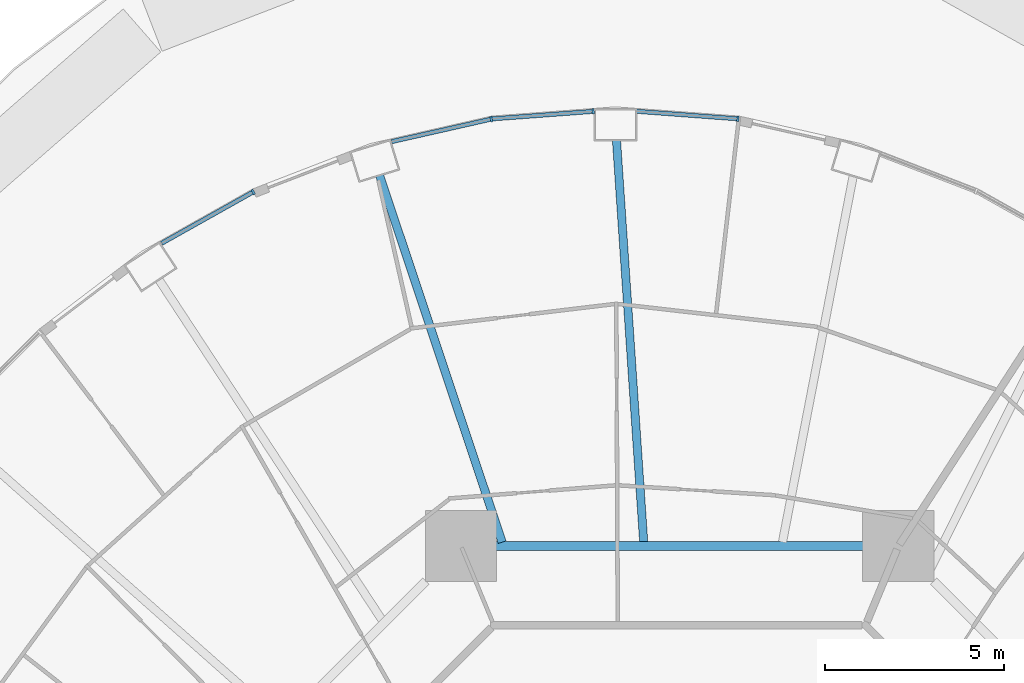
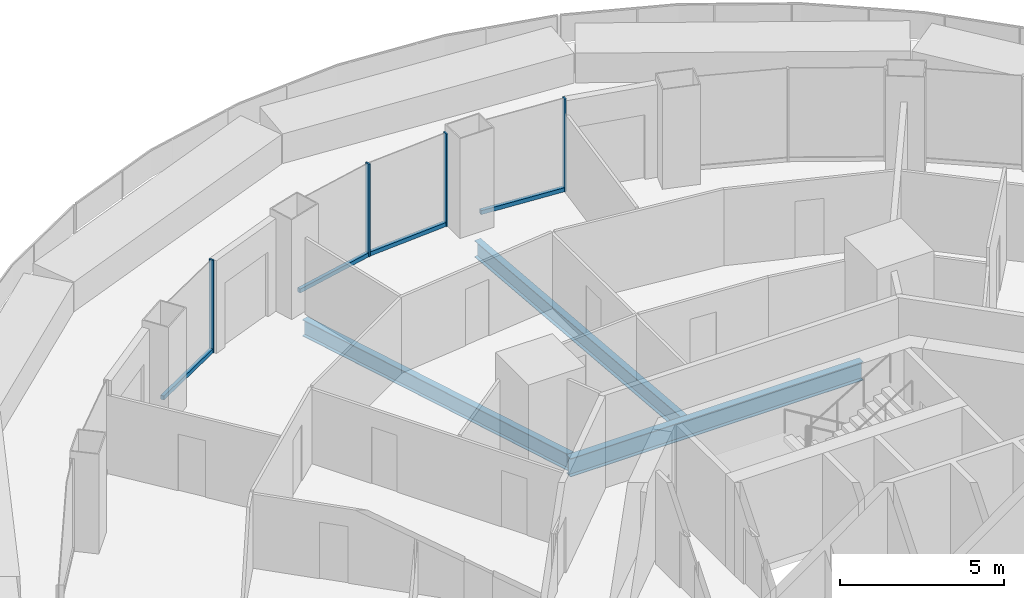
# One storey, part 7 of 20: 8 members, 3 beams, 4 elements without a shape of their own.
"""IFC4 building model written with IfcOpenShell, lengths in metres."""

import ifcopenshell
import ifcopenshell.guid

model = None  # the IFC model being written
_history = None  # IfcOwnerHistory: only IFC2X3 demands one
_inside = {}  # id of a spatial element -> (the spatial element, [elements in it])
_under = {}  # id of a project, library or spatial element -> (it, [spatial elements below it])
_declared = {}  # id of a project -> (the project, [libraries it declares])
_typed = {}  # id of a type object -> (the type object, [elements of that type])
_made_of = {}  # id of a material, layer set ... -> (it, [elements and type objects made of it])


def new_model(schema):
    """Start an empty IFC model of exactly this schema.

    Asked for "IFC4X3", IfcOpenShell would pick the latest addendum, in which some entities
    have other attributes; the version numbers below select the first issue.
    IFC2X3 requires an IfcOwnerHistory on every rooted entity: one is made here for all.
    """
    global model, _history
    if schema == "IFC4X3":
        model = ifcopenshell.file(schema_version=(4, 3, 0, 0))
    else:
        model = ifcopenshell.file(schema=schema)
    _inside.clear()
    _under.clear()
    _declared.clear()
    _typed.clear()
    _made_of.clear()
    _history = None
    if model.schema == "IFC2X3":
        org = make("IfcOrganization", Name="unknown")
        user = make(
            "IfcPersonAndOrganization",
            ThePerson=make("IfcPerson", FamilyName="unknown"),
            TheOrganization=org,
        )
        app = make(
            "IfcApplication",
            ApplicationDeveloper=org,
            Version="unknown",
            ApplicationFullName="unknown",
            ApplicationIdentifier="unknown",
        )
        _history = make(
            "IfcOwnerHistory",
            OwningUser=user,
            OwningApplication=app,
            ChangeAction="ADDED",
            CreationDate=0,
        )
    return model


def make(cls, **values):
    """One entity of the class cls with the attributes given. An attribute that is None is left unset."""
    return model.create_entity(
        cls, **{name: value for name, value in values.items() if value is not None}
    )


def rooted(cls, **values):
    """An entity with a GlobalId (a new one), such as an element, a storey or a relation."""
    return make(cls, GlobalId=ifcopenshell.guid.new(), OwnerHistory=_history, **values)


def si_unit(unit_type, name, prefix=None):
    """IfcSIUnit, for example si_unit("LENGTHUNIT", "METRE", prefix="MILLI")."""
    return make("IfcSIUnit", UnitType=unit_type, Prefix=prefix, Name=name)


def assignment(units):
    """IfcUnitAssignment: the units of a project."""
    return None if units is None else make("IfcUnitAssignment", Units=units)


def point(xyz):
    """IfcCartesianPoint."""
    return None if xyz is None else make("IfcCartesianPoint", Coordinates=xyz)


def direction(xyz):
    """IfcDirection."""
    return None if xyz is None else make("IfcDirection", DirectionRatios=xyz)


def frame(location, z_axis=None, x_axis=None):
    """IfcAxis2Placement3D, a coordinate frame: its origin and axes. An axis left out is left unset."""
    return make(
        "IfcAxis2Placement3D",
        Location=point(location),
        Axis=direction(z_axis),
        RefDirection=direction(x_axis),
    )


def frame_2d(location, x_axis=None):
    """IfcAxis2Placement2D, a coordinate frame in the plane: its origin and x axis."""
    return make(
        "IfcAxis2Placement2D", Location=point(location), RefDirection=direction(x_axis)
    )


def origin():
    """The frame at (0, 0, 0) with its axes left unset."""
    return frame((0.0, 0.0, 0.0))


def origin_2d():
    """The frame at (0, 0) in the plane with its x axis left unset."""
    return frame_2d((0.0, 0.0))


def place(relative_to, where):
    """IfcLocalPlacement: puts the frame where relative to a parent placement (None: the world)."""
    return make(
        "IfcLocalPlacement", PlacementRelTo=relative_to, RelativePlacement=where
    )


def context(
    kind, dimensions, precision=None, world=None, true_north=None, identifier=None
):
    """IfcGeometricRepresentationContext, for example the 3D "Model" context."""
    return make(
        "IfcGeometricRepresentationContext",
        ContextIdentifier=identifier,
        ContextType=kind,
        CoordinateSpaceDimension=dimensions,
        Precision=precision,
        WorldCoordinateSystem=world,
        TrueNorth=true_north,
    )


def subcontext(parent, identifier, kind, view, scale=None):
    """IfcGeometricRepresentationSubContext, for example "Body" below "Model"."""
    return make(
        "IfcGeometricRepresentationSubContext",
        ContextIdentifier=identifier,
        ContextType=kind,
        ParentContext=parent,
        TargetScale=scale,
        TargetView=view,
    )


def project(units=None, contexts=None):
    """IfcProject with its units and contexts."""
    return rooted(
        "IfcProject",
        Name="project",
        RepresentationContexts=contexts,
        UnitsInContext=assignment(units),
    )


def spatial(cls, under=None, at=None, **own):
    """A site, building, storey or space (cls), placed at a placement, below another one or the project."""
    s = rooted(cls, ObjectPlacement=at, **own)
    if under is not None:
        _under.setdefault(under.id(), (under, []))[1].append(s)
    return s


def profile(cls, at=None, kind="AREA", **sizes):
    """A parametric profile (cls). Its sizes go by their IFC names, for example OverallWidth=200.0."""
    return make(cls, ProfileType=kind, Position=at, **sizes)


def rectangle(**sizes):
    """IfcRectangleProfileDef."""
    return profile("IfcRectangleProfileDef", **sizes)


def i_section(**sizes):
    """IfcIShapeProfileDef."""
    return profile("IfcIShapeProfileDef", **sizes)


def extrude(swept, where, along, depth):
    """IfcExtrudedAreaSolid: the profile swept, set in the frame where, extruded along a direction by depth."""
    return make(
        "IfcExtrudedAreaSolid",
        SweptArea=swept,
        Position=where,
        ExtrudedDirection=direction(along),
        Depth=depth,
    )


def shape(context_of_items, identifier, shape_type, items):
    """IfcShapeRepresentation: the items that make up one representation, for example the "Body"."""
    return make(
        "IfcShapeRepresentation",
        ContextOfItems=context_of_items,
        RepresentationIdentifier=identifier,
        RepresentationType=shape_type,
        Items=items,
    )


def material(Name=None, Category=None):
    """IfcMaterial."""
    return make("IfcMaterial", Name=Name, Category=Category)


def layer(
    of_material, thickness, ventilated=None, Name=None, Category=None, Priority=None
):
    """IfcMaterialLayer: one layer of a wall or slab, of a material (None: an air gap)."""
    return make(
        "IfcMaterialLayer",
        Material=of_material,
        LayerThickness=thickness,
        IsVentilated=ventilated,
        Name=Name,
        Category=Category,
        Priority=Priority,
    )


def layer_set(layers, Name=None):
    """IfcMaterialLayerSet."""
    return make("IfcMaterialLayerSet", MaterialLayers=layers, LayerSetName=Name)


def material_profile(
    of_material, cross_section, Name=None, Category=None, Priority=None
):
    """IfcMaterialProfile: a cross section and its material."""
    return make(
        "IfcMaterialProfile",
        Name=Name,
        Material=of_material,
        Profile=cross_section,
        Priority=Priority,
        Category=Category,
    )


def profile_set(profiles, Name=None, composite=None):
    """IfcMaterialProfileSet."""
    return make(
        "IfcMaterialProfileSet",
        Name=Name,
        MaterialProfiles=profiles,
        CompositeProfile=composite,
    )


def made_of(thing, what):
    """Note that an element or type object is made of a material, layer set ...; save() writes the relation."""
    if what is not None:
        _made_of.setdefault(what.id(), (what, []))[1].append(thing)
    return thing


def type_object(cls, material=None, **own):
    """A type object (cls), such as IfcWallType, which elements share."""
    return made_of(rooted(cls, **own), material)


def element(
    cls,
    number,
    at=None,
    inside=None,
    cuts=None,
    type_object=None,
    material=None,
    context=None,
    identifier="Body",
    shape_type=None,
    held_by="IfcProductDefinitionShape",
    body=None,
    shapes=None,
    **own,
):
    """One element of the class cls, such as IfcWall. Its Tag is "e" and its number.

    at: its placement. inside: the storey or other place that contains it. cuts: it is an
    opening in that element (IfcRelVoidsElement). A single representation is given by context,
    identifier, shape_type and body (its items); several are given by shapes. held_by: the class
    of the entity that holds the representations. save() writes the other relations.
    """
    e = rooted(cls, Tag="e%d" % number, ObjectPlacement=at, **own)
    if body is not None:
        shapes = [shape(context, identifier, shape_type, body)]
    if shapes is not None:
        e.Representation = make(held_by, Representations=shapes)
    if inside is not None:
        _inside.setdefault(inside.id(), (inside, []))[1].append(e)
    if cuts is not None:
        rooted(
            "IfcRelVoidsElement", RelatingBuildingElement=cuts, RelatedOpeningElement=e
        )
    if type_object is not None:
        _typed.setdefault(type_object.id(), (type_object, []))[1].append(e)
    return made_of(e, material)


def aggregate(whole, parts):
    """IfcRelAggregates: a whole, such as a stair, and the parts it consists of."""
    return rooted("IfcRelAggregates", RelatingObject=whole, RelatedObjects=parts)


def save(model, path):
    """Write the relations noted so far, then the file.

    IfcRelAggregates (storeys below a building ...), IfcRelContainedInSpatialStructure (elements
    in a storey), IfcRelDefinesByType, IfcRelAssociatesMaterial and IfcRelDeclares: one each for
    every whole, place, type object, material and project.
    """
    for whole, parts in _under.values():
        aggregate(whole, parts)
    for where, things in _inside.values():
        rooted(
            "IfcRelContainedInSpatialStructure",
            RelatedElements=things,
            RelatingStructure=where,
        )
    for kind, things in _typed.values():
        rooted("IfcRelDefinesByType", RelatedObjects=things, RelatingType=kind)
    for what, things in _made_of.values():
        rooted("IfcRelAssociatesMaterial", RelatedObjects=things, RelatingMaterial=what)
    for by, libraries in _declared.values():
        rooted("IfcRelDeclares", RelatingContext=by, RelatedDefinitions=libraries)
    model.write(path)


model = new_model("IFC4")

# Units and contexts
model_context = context("Model", 3, precision=1e-05, world=origin(), true_north=direction((0.0, 1.0)))
body_context = subcontext(model_context, "Body", "Model", "MODEL_VIEW")
ifc_project = project(units=[si_unit("LENGTHUNIT", "METRE"), si_unit("AREAUNIT", "SQUARE_METRE"), si_unit("VOLUMEUNIT", "CUBIC_METRE"), si_unit("PLANEANGLEUNIT", "RADIAN"), si_unit("MASSUNIT", "GRAM", prefix="KILO")], contexts=[model_context])

# Site, building, storey
site_placement = place(None, origin())
site = spatial("IfcSite", under=ifc_project, at=site_placement, CompositionType="ELEMENT")
building_placement = place(site_placement, origin())
building = spatial("IfcBuilding", under=site, at=building_placement, Name="Nagisa Residences", CompositionType="ELEMENT")
storey_placement = place(building_placement, frame((0.0, 0.0, 119.60009765625)))
storey = spatial("IfcBuildingStorey", under=building, at=storey_placement, Name="L29", CompositionType="ELEMENT", Elevation=119.60009765625)

# Curtain wall, member
ifc_material_1 = material(Name="Concrete-coloured aluminium curtain wall system", Category="concrete")
ifc_layer = layer(ifc_material_1, 0.159912109375)
ifc_layer_set = layer_set([ifc_layer], Name="CW1 CURTAIN WALL")
curtain_wall_type = type_object("IfcCurtainWallType", Name="CW1 CURTAIN WALL", PredefinedType="NOTDEFINED", material=ifc_layer_set)
curtain_wall_1_placement = place(storey_placement, origin())
curtain_wall_1 = element("IfcCurtainWall", 1, at=curtain_wall_1_placement, inside=storey, type_object=curtain_wall_type, Name="cw:CW1:L29:11", PredefinedType="NOTDEFINED")
ifc_material_2 = material(Name="Concrete-coloured aluminium", Category="concrete")
ifc_material_profile_1 = material_profile(ifc_material_2, rectangle(XDim=0.159912109375, YDim=0.06005859375, at=origin_2d()), Name="CW1 MULLION 160x60")
ifc_profile_set_1 = profile_set([ifc_material_profile_1], Name="Concrete-coloured aluminium")
member_type_1 = type_object("IfcMemberType", Name="CW1 MULLION 160x60", PredefinedType="MULLION", material=ifc_profile_set_1)
member_1_placement = place(storey_placement, frame((1.627685546875, 26.741455078125, 0.0), z_axis=(0.0, 0.0, 1.0), x_axis=(-0.074377355493, -0.997230168512, 0.0)))
member_1 = element("IfcMember", 2, at=member_1_placement, type_object=member_type_1, Name="CW1 mullion", PredefinedType="MULLION", context=body_context, shape_type="SweptSolid", body=[
    extrude(rectangle(XDim=0.159912109375, YDim=0.06005859375, at=origin_2d()), origin(), (0.0, 0.0, 1.0), 3.43994140625),
])

curtain_wall_2_placement = place(storey_placement, origin())
curtain_wall_2 = element("IfcCurtainWall", 3, at=curtain_wall_2_placement, inside=storey, type_object=curtain_wall_type, Name="cw:CW1:L29:12", PredefinedType="NOTDEFINED")
member_2_placement = place(storey_placement, frame((-2.42236328125, 26.95068359375, 0.0), z_axis=(0.0, 0.0, 1.0), x_axis=(0.074377355493, -0.997230168512, 0.0)))
member_2 = element("IfcMember", 4, at=member_2_placement, type_object=member_type_1, Name="CW1 mullion", PredefinedType="MULLION", context=body_context, shape_type="SweptSolid", body=[
    extrude(rectangle(XDim=0.159912109375, YDim=0.06005859375, at=origin_2d()), origin(), (0.0, 0.0, 1.0), 3.43994140625),
])

curtain_wall_3_placement = place(storey_placement, origin())
curtain_wall_3 = element("IfcCurtainWall", 5, at=curtain_wall_3_placement, inside=storey, type_object=curtain_wall_type, Name="cw:CW1:L29:13", PredefinedType="NOTDEFINED")
member_3_placement = place(storey_placement, frame((-5.275146484375, 26.734375, 0.0), z_axis=(0.0, 0.0, 1.0), x_axis=(0.2207639201, -0.975327274089, 0.0)))
member_3 = element("IfcMember", 6, at=member_3_placement, type_object=member_type_1, Name="CW1 mullion", PredefinedType="MULLION", context=body_context, shape_type="SweptSolid", body=[
    extrude(rectangle(XDim=0.159912109375, YDim=0.06005859375, at=origin_2d()), origin(), (0.0, 0.0, 1.0), 3.43994140625),
])

curtain_wall_4_placement = place(storey_placement, origin())
curtain_wall_4 = element("IfcCurtainWall", 7, at=curtain_wall_4_placement, inside=storey, type_object=curtain_wall_type, Name="cw:CW1:L29:15", PredefinedType="NOTDEFINED")
member_4_placement = place(storey_placement, frame((-11.94140625, 24.6943359375, 0.0), z_axis=(0.0, 0.0, 1.0), x_axis=(0.489376918501, -0.872072377523, 0.0)))
member_4 = element("IfcMember", 8, at=member_4_placement, type_object=member_type_1, Name="CW1 mullion", PredefinedType="MULLION", context=body_context, shape_type="SweptSolid", body=[
    extrude(rectangle(XDim=0.159912109375, YDim=0.06005859375, at=origin_2d()), origin(), (0.0, 0.0, 1.0), 3.43994140625),
])

# Member
ifc_material_3 = material(Name="Concrete-coloured aluminium", Category="concrete")
ifc_material_profile_2 = material_profile(ifc_material_3, rectangle(XDim=0.1201171875, YDim=0.14990234375, at=origin_2d()), Name="CW1 TRANSOM 120x150")
ifc_profile_set_2 = profile_set([ifc_material_profile_2], Name="Concrete-coloured aluminium")
member_type_2 = type_object("IfcMemberType", Name="CW1 TRANSOM 120x150", PredefinedType="USERDEFINED", material=ifc_profile_set_2)
member_5_placement = place(storey_placement, frame((1.657470703125, 26.7392578125, 0.074951171875), z_axis=(-0.997231697044, 0.074356858535, 0.0), x_axis=(-0.074356858535, -0.997231697044, 0.0)))
member_5 = element("IfcMember", 9, at=member_5_placement, type_object=member_type_2, Name="CW1 transom", ObjectType="TRANSOM", PredefinedType="USERDEFINED", context=body_context, shape_type="SweptSolid", body=[
    extrude(rectangle(XDim=0.1201171875, YDim=0.14990234375, at=origin_2d()), origin(), (0.0, 0.0, 1.0), 2.873046875),
])

aggregate(curtain_wall_1, [member_1, member_5])

member_6_placement = place(storey_placement, frame((-2.392333984375, 26.952880859375, 0.074951171875), z_axis=(-0.997232166829, -0.074350557769, 0.0), x_axis=(0.074350557769, -0.997232166829, 0.0)))
member_6 = element("IfcMember", 10, at=member_6_placement, type_object=member_type_2, Name="CW1 transom", ObjectType="TRANSOM", PredefinedType="USERDEFINED", context=body_context, shape_type="SweptSolid", body=[
    extrude(rectangle(XDim=0.1201171875, YDim=0.14990234375, at=origin_2d()), origin(), (0.0, 0.0, 1.0), 2.873291015625),
])

aggregate(curtain_wall_2, [member_2, member_6])

member_7_placement = place(storey_placement, frame((-5.245849609375, 26.740966796875, 0.074951171875), z_axis=(-0.975320849653, -0.220792301117, 0.0), x_axis=(0.220792301117, -0.975320849653, 0.0)))
member_7 = element("IfcMember", 11, at=member_7_placement, type_object=member_type_2, Name="CW1 transom", ObjectType="TRANSOM", PredefinedType="USERDEFINED", context=body_context, shape_type="SweptSolid", body=[
    extrude(rectangle(XDim=0.1201171875, YDim=0.14990234375, at=origin_2d()), origin(), (0.0, 0.0, 1.0), 2.890380859375),
])

aggregate(curtain_wall_3, [member_3, member_7])

member_8_placement = place(storey_placement, frame((-11.915283203125, 24.708984375, 0.074951171875), z_axis=(-0.872101969379, -0.489324181914, 0.0), x_axis=(0.489324181914, -0.872101969379, 0.0)))
member_8 = element("IfcMember", 12, at=member_8_placement, type_object=member_type_2, Name="CW1 transom", ObjectType="TRANSOM", PredefinedType="USERDEFINED", context=body_context, shape_type="SweptSolid", body=[
    extrude(rectangle(XDim=0.1201171875, YDim=0.14990234375, at=origin_2d()), origin(), (0.0, 0.0, 1.0), 2.9697265625),
])

aggregate(curtain_wall_4, [member_4, member_8])

# Beams
ifc_material_4 = material(Name="Steel ASTM A572 Gr 50", Category="steel")
ifc_material_profile_3 = material_profile(ifc_material_4, i_section(OverallWidth=0.25390625, OverallDepth=0.68408203125, WebThickness=0.012451171875, FlangeThickness=0.018798828125, at=origin_2d()), Name="W690x140")
ifc_profile_set_3 = profile_set([ifc_material_profile_3], Name="Steel ASTM A572 Gr 50")
beam_type_1 = type_object("IfcBeamType", Name="Inner ring beam W690x140", PredefinedType="BEAM", material=ifc_profile_set_3)
beam_1_placement = place(storey_placement, frame((5.142822265625, 14.781982421875, -0.60205078125), z_axis=(-1.0, 0.0, 0.0), x_axis=(0.0, -1.0, 0.0)))
element("IfcBeam", 13, at=beam_1_placement, inside=storey, type_object=beam_type_1, Name="beam:L29:ib2", PredefinedType="BEAM", context=body_context, shape_type="SweptSolid", body=[
    extrude(i_section(OverallWidth=0.25390625, OverallDepth=0.68408203125, WebThickness=0.012451171875, FlangeThickness=0.018798828125, at=origin_2d()), origin(), (0.0, 0.0, 1.0), 10.28564453125),
])
ifc_material_5 = material(Name="Steel ASTM A572 Gr 50", Category="steel")
ifc_material_profile_4 = material_profile(ifc_material_5, i_section(OverallWidth=0.22900390625, OverallDepth=0.612060546875, WebThickness=0.011962890625, FlangeThickness=0.01953125, at=origin_2d()), Name="W610x125")
ifc_profile_set_4 = profile_set([ifc_material_profile_4], Name="Steel ASTM A572 Gr 50")
beam_type_2 = type_object("IfcBeamType", Name="Radial beam W610x125", PredefinedType="BEAM", material=ifc_profile_set_4)
beam_2_placement = place(storey_placement, frame((-1.77099609375, 26.147216796875, -0.566162109375), z_axis=(0.067591690418, -0.997713066661, 0.0), x_axis=(0.997713066661, 0.067591690418, 0.0)))
element("IfcBeam", 14, at=beam_2_placement, inside=storey, type_object=beam_type_2, Name="beam:L29:rb07", PredefinedType="BEAM", context=body_context, shape_type="SweptSolid", body=[
    extrude(i_section(OverallWidth=0.22900390625, OverallDepth=0.612060546875, WebThickness=0.011962890625, FlangeThickness=0.01953125, at=origin_2d()), origin(), (0.0, 0.0, 1.0), 11.283935546875),
])
beam_3_placement = place(storey_placement, frame((-8.402099609375, 25.157470703125, -0.566162109375), z_axis=(0.316789297789, -0.948495936104, 0.0), x_axis=(0.948495936104, 0.316789297789, 0.0)))
element("IfcBeam", 15, at=beam_3_placement, inside=storey, type_object=beam_type_2, Name="beam:L29:rb08", PredefinedType="BEAM", context=body_context, shape_type="SweptSolid", body=[
    extrude(i_section(OverallWidth=0.22900390625, OverallDepth=0.612060546875, WebThickness=0.011962890625, FlangeThickness=0.01953125, at=origin_2d()), origin(), (0.0, 0.0, 1.0), 10.824951171875),
])

save(model, "model.ifc")
